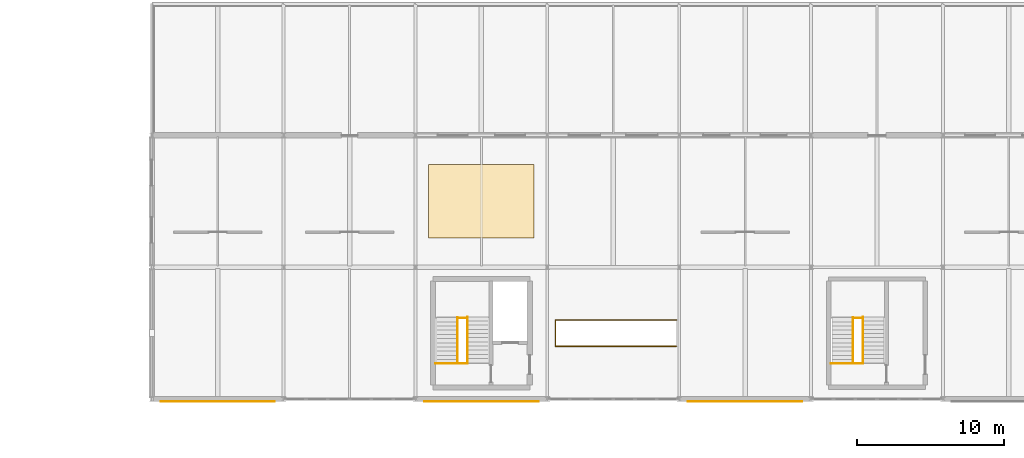
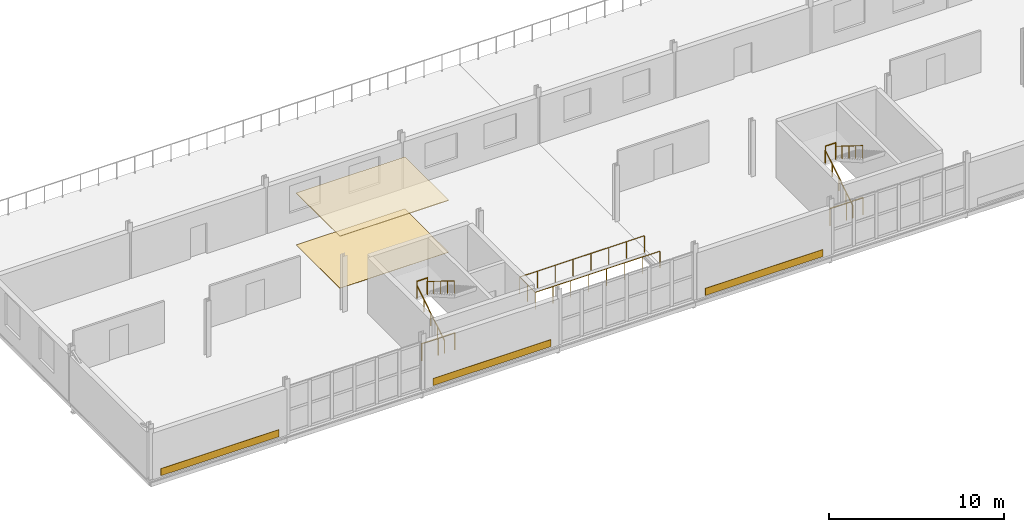
# One storey, part 114 of 123: 9 railings, 5 coverings.
"""IFC4 building model written with IfcOpenShell, lengths in metres."""

import ifcopenshell
import ifcopenshell.guid

model = None  # the IFC model being written
_history = None  # IfcOwnerHistory: only IFC2X3 demands one
_inside = {}  # id of a spatial element -> (the spatial element, [elements in it])
_under = {}  # id of a project, library or spatial element -> (it, [spatial elements below it])
_declared = {}  # id of a project -> (the project, [libraries it declares])
_typed = {}  # id of a type object -> (the type object, [elements of that type])
_made_of = {}  # id of a material, layer set ... -> (it, [elements and type objects made of it])


def new_model(schema):
    """Start an empty IFC model of exactly this schema.

    Asked for "IFC4X3", IfcOpenShell would pick the latest addendum, in which some entities
    have other attributes; the version numbers below select the first issue.
    IFC2X3 requires an IfcOwnerHistory on every rooted entity: one is made here for all.
    """
    global model, _history
    if schema == "IFC4X3":
        model = ifcopenshell.file(schema_version=(4, 3, 0, 0))
    else:
        model = ifcopenshell.file(schema=schema)
    _inside.clear()
    _under.clear()
    _declared.clear()
    _typed.clear()
    _made_of.clear()
    _history = None
    if model.schema == "IFC2X3":
        org = make("IfcOrganization", Name="unknown")
        user = make(
            "IfcPersonAndOrganization",
            ThePerson=make("IfcPerson", FamilyName="unknown"),
            TheOrganization=org,
        )
        app = make(
            "IfcApplication",
            ApplicationDeveloper=org,
            Version="unknown",
            ApplicationFullName="unknown",
            ApplicationIdentifier="unknown",
        )
        _history = make(
            "IfcOwnerHistory",
            OwningUser=user,
            OwningApplication=app,
            ChangeAction="ADDED",
            CreationDate=0,
        )
    return model


def make(cls, **values):
    """One entity of the class cls with the attributes given. An attribute that is None is left unset."""
    return model.create_entity(
        cls, **{name: value for name, value in values.items() if value is not None}
    )


def rooted(cls, **values):
    """An entity with a GlobalId (a new one), such as an element, a storey or a relation."""
    return make(cls, GlobalId=ifcopenshell.guid.new(), OwnerHistory=_history, **values)


def si_unit(unit_type, name, prefix=None):
    """IfcSIUnit, for example si_unit("LENGTHUNIT", "METRE", prefix="MILLI")."""
    return make("IfcSIUnit", UnitType=unit_type, Prefix=prefix, Name=name)


def assignment(units):
    """IfcUnitAssignment: the units of a project."""
    return None if units is None else make("IfcUnitAssignment", Units=units)


def point(xyz):
    """IfcCartesianPoint."""
    return None if xyz is None else make("IfcCartesianPoint", Coordinates=xyz)


def direction(xyz):
    """IfcDirection."""
    return None if xyz is None else make("IfcDirection", DirectionRatios=xyz)


def frame(location, z_axis=None, x_axis=None):
    """IfcAxis2Placement3D, a coordinate frame: its origin and axes. An axis left out is left unset."""
    return make(
        "IfcAxis2Placement3D",
        Location=point(location),
        Axis=direction(z_axis),
        RefDirection=direction(x_axis),
    )


def frame_2d(location, x_axis=None):
    """IfcAxis2Placement2D, a coordinate frame in the plane: its origin and x axis."""
    return make(
        "IfcAxis2Placement2D", Location=point(location), RefDirection=direction(x_axis)
    )


def origin():
    """The frame at (0, 0, 0) with its axes left unset."""
    return frame((0.0, 0.0, 0.0))


def origin_2d():
    """The frame at (0, 0) in the plane with its x axis left unset."""
    return frame_2d((0.0, 0.0))


def place(relative_to, where):
    """IfcLocalPlacement: puts the frame where relative to a parent placement (None: the world)."""
    return make(
        "IfcLocalPlacement", PlacementRelTo=relative_to, RelativePlacement=where
    )


def context(
    kind, dimensions, precision=None, world=None, true_north=None, identifier=None
):
    """IfcGeometricRepresentationContext, for example the 3D "Model" context."""
    return make(
        "IfcGeometricRepresentationContext",
        ContextIdentifier=identifier,
        ContextType=kind,
        CoordinateSpaceDimension=dimensions,
        Precision=precision,
        WorldCoordinateSystem=world,
        TrueNorth=true_north,
    )


def subcontext(parent, identifier, kind, view, scale=None):
    """IfcGeometricRepresentationSubContext, for example "Body" below "Model"."""
    return make(
        "IfcGeometricRepresentationSubContext",
        ContextIdentifier=identifier,
        ContextType=kind,
        ParentContext=parent,
        TargetScale=scale,
        TargetView=view,
    )


def project(units=None, contexts=None):
    """IfcProject with its units and contexts."""
    return rooted(
        "IfcProject",
        Name="project",
        RepresentationContexts=contexts,
        UnitsInContext=assignment(units),
    )


def spatial(cls, under=None, at=None, **own):
    """A site, building, storey or space (cls), placed at a placement, below another one or the project."""
    s = rooted(cls, ObjectPlacement=at, **own)
    if under is not None:
        _under.setdefault(under.id(), (under, []))[1].append(s)
    return s


def profile(cls, at=None, kind="AREA", **sizes):
    """A parametric profile (cls). Its sizes go by their IFC names, for example OverallWidth=200.0."""
    return make(cls, ProfileType=kind, Position=at, **sizes)


def rectangle(**sizes):
    """IfcRectangleProfileDef."""
    return profile("IfcRectangleProfileDef", **sizes)


def circle(**sizes):
    """IfcCircleProfileDef."""
    return profile("IfcCircleProfileDef", **sizes)


def extrude(swept, where, along, depth):
    """IfcExtrudedAreaSolid: the profile swept, set in the frame where, extruded along a direction by depth."""
    return make(
        "IfcExtrudedAreaSolid",
        SweptArea=swept,
        Position=where,
        ExtrudedDirection=direction(along),
        Depth=depth,
    )


def shape(context_of_items, identifier, shape_type, items):
    """IfcShapeRepresentation: the items that make up one representation, for example the "Body"."""
    return make(
        "IfcShapeRepresentation",
        ContextOfItems=context_of_items,
        RepresentationIdentifier=identifier,
        RepresentationType=shape_type,
        Items=items,
    )


def material(Name=None, Category=None):
    """IfcMaterial."""
    return make("IfcMaterial", Name=Name, Category=Category)


def layer(
    of_material, thickness, ventilated=None, Name=None, Category=None, Priority=None
):
    """IfcMaterialLayer: one layer of a wall or slab, of a material (None: an air gap)."""
    return make(
        "IfcMaterialLayer",
        Material=of_material,
        LayerThickness=thickness,
        IsVentilated=ventilated,
        Name=Name,
        Category=Category,
        Priority=Priority,
    )


def layer_set(layers, Name=None):
    """IfcMaterialLayerSet."""
    return make("IfcMaterialLayerSet", MaterialLayers=layers, LayerSetName=Name)


def made_of(thing, what):
    """Note that an element or type object is made of a material, layer set ...; save() writes the relation."""
    if what is not None:
        _made_of.setdefault(what.id(), (what, []))[1].append(thing)
    return thing


def type_object(cls, material=None, **own):
    """A type object (cls), such as IfcWallType, which elements share."""
    return made_of(rooted(cls, **own), material)


def element(
    cls,
    number,
    at=None,
    inside=None,
    cuts=None,
    type_object=None,
    material=None,
    context=None,
    identifier="Body",
    shape_type=None,
    held_by="IfcProductDefinitionShape",
    body=None,
    shapes=None,
    **own,
):
    """One element of the class cls, such as IfcWall. Its Tag is "e" and its number.

    at: its placement. inside: the storey or other place that contains it. cuts: it is an
    opening in that element (IfcRelVoidsElement). A single representation is given by context,
    identifier, shape_type and body (its items); several are given by shapes. held_by: the class
    of the entity that holds the representations. save() writes the other relations.
    """
    e = rooted(cls, Tag="e%d" % number, ObjectPlacement=at, **own)
    if body is not None:
        shapes = [shape(context, identifier, shape_type, body)]
    if shapes is not None:
        e.Representation = make(held_by, Representations=shapes)
    if inside is not None:
        _inside.setdefault(inside.id(), (inside, []))[1].append(e)
    if cuts is not None:
        rooted(
            "IfcRelVoidsElement", RelatingBuildingElement=cuts, RelatedOpeningElement=e
        )
    if type_object is not None:
        _typed.setdefault(type_object.id(), (type_object, []))[1].append(e)
    return made_of(e, material)


def aggregate(whole, parts):
    """IfcRelAggregates: a whole, such as a stair, and the parts it consists of."""
    return rooted("IfcRelAggregates", RelatingObject=whole, RelatedObjects=parts)


def save(model, path):
    """Write the relations noted so far, then the file.

    IfcRelAggregates (storeys below a building ...), IfcRelContainedInSpatialStructure (elements
    in a storey), IfcRelDefinesByType, IfcRelAssociatesMaterial and IfcRelDeclares: one each for
    every whole, place, type object, material and project.
    """
    for whole, parts in _under.values():
        aggregate(whole, parts)
    for where, things in _inside.values():
        rooted(
            "IfcRelContainedInSpatialStructure",
            RelatedElements=things,
            RelatingStructure=where,
        )
    for kind, things in _typed.values():
        rooted("IfcRelDefinesByType", RelatedObjects=things, RelatingType=kind)
    for what, things in _made_of.values():
        rooted("IfcRelAssociatesMaterial", RelatedObjects=things, RelatingMaterial=what)
    for by, libraries in _declared.values():
        rooted("IfcRelDeclares", RelatingContext=by, RelatedDefinitions=libraries)
    model.write(path)


model = new_model("IFC4")

# Units and contexts
model_context = context("Model", 3, precision=1e-05, world=origin(), true_north=direction((0.0, 1.0)))
body_context = subcontext(model_context, "Body", "Model", "MODEL_VIEW")
ifc_project = project(units=[si_unit("LENGTHUNIT", "METRE"), si_unit("AREAUNIT", "SQUARE_METRE"), si_unit("VOLUMEUNIT", "CUBIC_METRE"), si_unit("PLANEANGLEUNIT", "RADIAN"), si_unit("MASSUNIT", "GRAM", prefix="KILO")], contexts=[model_context])

# Site, building, storey
site_placement = place(None, origin())
site = spatial("IfcSite", under=ifc_project, at=site_placement, CompositionType="ELEMENT")
building_placement = place(site_placement, origin())
building = spatial("IfcBuilding", under=site, at=building_placement, Name="Kildeholm Park Wholesale Market", CompositionType="ELEMENT")
storey_placement = place(building_placement, frame((0.0, 0.0, 9.60009765625)))
storey = spatial("IfcBuildingStorey", under=building, at=storey_placement, Name="L02", CompositionType="ELEMENT", Elevation=9.60009765625)

# Coverings
ifc_material_1 = material(Name="Washable acoustic mineral-fibre and aluminium ceiling", Category="aluminium")
ifc_layer_1 = layer(ifc_material_1, 0.044921875)
ifc_layer_set_1 = layer_set([ifc_layer_1], Name="Washable acoustic mineral-fibre and aluminium ceiling")
covering_type_1 = type_object("IfcCoveringType", Name="Hygienic acoustic suspended ceiling CV-CLG1 45 mm", PredefinedType="CEILING", material=ifc_layer_set_1)
covering_1_placement = place(storey_placement, frame((31.5, 13.5, 3.614990234375), z_axis=(0.0, 0.0, 1.0), x_axis=(1.0, 0.0, 0.0)))
element("IfcCovering", 1, at=covering_1_placement, inside=storey, type_object=covering_type_1, Name="Acoustic ceiling 9 COV-0058", PredefinedType="CEILING", context=body_context, shape_type="SweptSolid", body=[
    extrude(rectangle(XDim=7.199951171875, YDim=5.0, at=origin_2d()), origin(), (0.0, 0.0, 1.0), 0.044921875),
])
ifc_material_2 = material(Name="Slip-resistant hygienic epoxy resin flooring")
ifc_layer_2 = layer(ifc_material_2, 0.02001953125)
ifc_layer_set_2 = layer_set([ifc_layer_2], Name="Slip-resistant hygienic epoxy resin flooring")
covering_type_2 = type_object("IfcCoveringType", Name="Hygienic cold-chain epoxy resin flooring CV-FLR2 20 mm", PredefinedType="FLOORING", material=ifc_layer_set_2)
covering_2_placement = place(storey_placement, frame((31.5, 13.5, 0.0), z_axis=(0.0, 0.0, 1.0), x_axis=(1.0, 0.0, 0.0)))
element("IfcCovering", 2, at=covering_2_placement, inside=storey, type_object=covering_type_2, Name="Market floor finish 9 COV-0057", PredefinedType="FLOORING", context=body_context, shape_type="SweptSolid", body=[
    extrude(rectangle(XDim=7.199951171875, YDim=5.0, at=origin_2d()), origin(), (0.0, 0.0, 1.0), 0.02001953125),
])

# Railings
ifc_material_3 = material(Name="Painted steel and laminated glass balustrade", Category="steel")
railing_type_1 = type_object("IfcRailingType", Name="Interior gallery and stairwell guard GR-IN1 1200 mm", PredefinedType="GUARDRAIL", material=ifc_material_3)
railing_1_placement = place(storey_placement, frame((28.360107421875, 2.429931640625, 0.0)))
element("IfcRailing", 3, at=railing_1_placement, inside=storey, type_object=railing_type_1, Name="Stair C04 upper floor well guard L02 RLG-0055", PredefinedType="GUARDRAIL", context=body_context, shape_type="SweptSolid", body=[
    extrude(circle(Radius=0.02392578125, at=origin_2d()), frame((0.0, 0.0, 1.17578125), z_axis=(1.0, 0.0, 0.0), x_axis=(0.0, 1.0, 0.0)), (0.0, 0.0, 1.0), 2.18994140625),
    extrude(circle(Radius=0.02099609375, at=origin_2d()), origin(), (0.0, 0.0, 1.0), 1.15185546875),
    extrude(circle(Radius=0.02099609375, at=origin_2d()), frame((1.094970703125, 0.0, 0.0)), (0.0, 0.0, 1.0), 1.15185546875),
    extrude(circle(Radius=0.02099609375, at=origin_2d()), frame((2.18994140625, 0.0, 0.0)), (0.0, 0.0, 1.0), 1.15185546875),
])
railing_2_placement = place(storey_placement, frame((29.860107421875, 5.544921875, 1.949951171875)))
element("IfcRailing", 4, at=railing_2_placement, inside=storey, type_object=railing_type_1, Name="Stair C04 half-landing well guard L02 RLG-0058", PredefinedType="GUARDRAIL", context=body_context, shape_type="SweptSolid", body=[
    extrude(circle(Radius=0.02392578125, at=origin_2d()), frame((0.0, 0.0, 1.17578125), z_axis=(1.0, 0.0, 0.0), x_axis=(0.0, 1.0, 0.0)), (0.0, 0.0, 1.0), 0.68994140625),
    extrude(circle(Radius=0.02099609375, at=origin_2d()), origin(), (0.0, 0.0, 1.0), 1.15185546875),
    extrude(circle(Radius=0.02099609375, at=origin_2d()), frame((0.68994140625, 0.0, 0.0)), (0.0, 0.0, 1.0), 1.15185546875),
])
railing_3_placement = place(storey_placement, frame((55.360107421875, 2.429931640625, 0.0)))
element("IfcRailing", 5, at=railing_3_placement, inside=storey, type_object=railing_type_1, Name="Stair C05 upper floor well guard L02 RLG-0067", PredefinedType="GUARDRAIL", context=body_context, shape_type="SweptSolid", body=[
    extrude(circle(Radius=0.02392578125, at=origin_2d()), frame((0.0, 0.0, 1.17578125), z_axis=(1.0, 0.0, 0.0), x_axis=(0.0, 1.0, 0.0)), (0.0, 0.0, 1.0), 2.18994140625),
    extrude(circle(Radius=0.02099609375, at=origin_2d()), origin(), (0.0, 0.0, 1.0), 1.15185546875),
    extrude(circle(Radius=0.02099609375, at=origin_2d()), frame((1.094970703125, 0.0, 0.0)), (0.0, 0.0, 1.0), 1.15185546875),
    extrude(circle(Radius=0.02099609375, at=origin_2d()), frame((2.18994140625, 0.0, 0.0)), (0.0, 0.0, 1.0), 1.15185546875),
])
railing_4_placement = place(storey_placement, frame((56.860107421875, 5.544921875, 1.949951171875)))
element("IfcRailing", 6, at=railing_4_placement, inside=storey, type_object=railing_type_1, Name="Stair C05 half-landing well guard L02 RLG-0070", PredefinedType="GUARDRAIL", context=body_context, shape_type="SweptSolid", body=[
    extrude(circle(Radius=0.02392578125, at=origin_2d()), frame((0.0, 0.0, 1.17578125), z_axis=(1.0, 0.0, 0.0), x_axis=(0.0, 1.0, 0.0)), (0.0, 0.0, 1.0), 0.68994140625),
    extrude(circle(Radius=0.02099609375, at=origin_2d()), origin(), (0.0, 0.0, 1.0), 1.15185546875),
    extrude(circle(Radius=0.02099609375, at=origin_2d()), frame((0.68994140625, 0.0, 0.0)), (0.0, 0.0, 1.0), 1.15185546875),
])
railing_5_placement = place(storey_placement, frame((44.800048828125, 3.610107421875, 0.0)))
element("IfcRailing", 7, at=railing_5_placement, inside=storey, type_object=railing_type_1, Name="Feature stair well guard ST-FT04 RLG-0173", PredefinedType="GUARDRAIL", context=body_context, shape_type="SweptSolid", body=[
    extrude(circle(Radius=0.02392578125, at=origin_2d()), frame((0.0, 0.0, 1.17578125), z_axis=(-1.0, 0.0, 0.0), x_axis=(0.0, -1.0, 0.0)), (0.0, 0.0, 1.0), 8.25),
    extrude(circle(Radius=0.02392578125, at=origin_2d()), frame((-8.25, 0.0, 1.17578125), z_axis=(0.0, 1.0, 0.0), x_axis=(-1.0, 0.0, 0.0)), (0.0, 0.0, 1.0), 1.77978515625),
    extrude(circle(Radius=0.02392578125, at=origin_2d()), frame((-8.25, 1.77978515625, 1.17578125), z_axis=(1.0, 0.0, 0.0), x_axis=(0.0, 1.0, 0.0)), (0.0, 0.0, 1.0), 8.25),
    extrude(circle(Radius=0.02099609375, at=origin_2d()), origin(), (0.0, 0.0, 1.0), 1.15185546875),
    extrude(circle(Radius=0.02099609375, at=origin_2d()), frame((-1.178466796875, 0.0, 0.0)), (0.0, 0.0, 1.0), 1.15185546875),
    extrude(circle(Radius=0.02099609375, at=origin_2d()), frame((-2.357177734375, 0.0, 0.0)), (0.0, 0.0, 1.0), 1.15185546875),
    extrude(circle(Radius=0.02099609375, at=origin_2d()), frame((-3.53564453125, 0.0, 0.0)), (0.0, 0.0, 1.0), 1.15185546875),
    extrude(circle(Radius=0.02099609375, at=origin_2d()), frame((-4.71435546875, 0.0, 0.0)), (0.0, 0.0, 1.0), 1.15185546875),
    extrude(circle(Radius=0.02099609375, at=origin_2d()), frame((-5.892822265625, 0.0, 0.0)), (0.0, 0.0, 1.0), 1.15185546875),
    extrude(circle(Radius=0.02099609375, at=origin_2d()), frame((-7.071533203125, 0.0, 0.0)), (0.0, 0.0, 1.0), 1.15185546875),
    extrude(circle(Radius=0.02099609375, at=origin_2d()), frame((-8.25, 0.0, 0.0)), (0.0, 0.0, 1.0), 1.15185546875),
    extrude(circle(Radius=0.02099609375, at=origin_2d()), frame((-8.25, 0.889892578125, 0.0)), (0.0, 0.0, 1.0), 1.15185546875),
    extrude(circle(Radius=0.02099609375, at=origin_2d()), frame((-8.25, 1.77978515625, 0.0)), (0.0, 0.0, 1.0), 1.15185546875),
    extrude(circle(Radius=0.02099609375, at=origin_2d()), frame((-7.071533203125, 1.77978515625, 0.0)), (0.0, 0.0, 1.0), 1.15185546875),
    extrude(circle(Radius=0.02099609375, at=origin_2d()), frame((-5.892822265625, 1.77978515625, 0.0)), (0.0, 0.0, 1.0), 1.15185546875),
    extrude(circle(Radius=0.02099609375, at=origin_2d()), frame((-4.71435546875, 1.77978515625, 0.0)), (0.0, 0.0, 1.0), 1.15185546875),
    extrude(circle(Radius=0.02099609375, at=origin_2d()), frame((-3.53564453125, 1.77978515625, 0.0)), (0.0, 0.0, 1.0), 1.15185546875),
    extrude(circle(Radius=0.02099609375, at=origin_2d()), frame((-2.357177734375, 1.77978515625, 0.0)), (0.0, 0.0, 1.0), 1.15185546875),
    extrude(circle(Radius=0.02099609375, at=origin_2d()), frame((-1.178466796875, 1.77978515625, 0.0)), (0.0, 0.0, 1.0), 1.15185546875),
    extrude(circle(Radius=0.02099609375, at=origin_2d()), frame((0.0, 1.77978515625, 0.0)), (0.0, 0.0, 1.0), 1.15185546875),
])

# Coverings
ifc_material_4 = material(Name="Polychrome broken-tile glazed ceramic mosaic")
ifc_layer_3 = layer(ifc_material_4, 0.034912109375)
ifc_layer_set_3 = layer_set([ifc_layer_3], Name="Polychrome broken-tile glazed ceramic mosaic")
covering_type_3 = type_object("IfcCoveringType", Name="Polychrome ceramic mosaic spandrel cladding CV-CL1", PredefinedType="CLADDING", material=ifc_layer_set_3)
for number, where, z_axis, x_axis, name in (
    (8, (13.5, -0.179931640625, 0.099853515625), (0.0, 0.0, 1.0), (1.0, 0.0, 0.0), "Polychrome ceramic mosaic spandrel V5W-L02-1 COV-0029"),
    (9, (31.5, -0.179931640625, 0.099853515625), (0.0, 0.0, 1.0), (1.0, 0.0, 0.0), "Polychrome ceramic mosaic spandrel V5W-L02-3 COV-0030"),
    (10, (49.5, -0.179931640625, 0.099853515625), (0.0, 0.0, 1.0), (1.0, 0.0, 0.0), "Polychrome ceramic mosaic spandrel V5W-L02-5 COV-0031"),
):
    element("IfcCovering", number, at=place(storey_placement, frame(where, z_axis=z_axis, x_axis=x_axis)), inside=storey, type_object=covering_type_3, Name=name, PredefinedType="CLADDING", context=body_context, shape_type="SweptSolid", body=[
        extrude(rectangle(XDim=7.800048828125, YDim=0.034912109375, at=origin_2d()), origin(), (0.0, 0.0, 1.0), 0.5),
    ])

# Railings
ifc_material_5 = material(Name="Stainless steel AISI 316 handrail", Category="steel")
railing_type_2 = type_object("IfcRailingType", Name="Stair flight handrail HR-IN1 900 mm", PredefinedType="HANDRAIL", material=ifc_material_5)
railing_6_placement = place(storey_placement, frame((29.860107421875, 2.419921875, 0.0)))
element("IfcRailing", 11, at=railing_6_placement, inside=storey, type_object=railing_type_2, Name="Stair C04 flight 1 handrail L02 RLG-0060", PredefinedType="HANDRAIL", context=body_context, shape_type="SweptSolid", body=[
    extrude(circle(Radius=0.02392578125, at=origin_2d()), frame((0.0, 0.0, 0.8759765625), z_axis=(0.0, 0.849144259976, 0.528160984692), x_axis=(-1.0, 0.0, 0.0)), (0.0, 0.0, 1.0), 3.69189453125),
    extrude(circle(Radius=0.02099609375, at=origin_2d()), origin(), (0.0, 0.0, 1.0), 0.851806640625),
    extrude(circle(Radius=0.02099609375, at=origin_2d()), frame((0.0, 0.78369140625, 0.487548828125)), (0.0, 0.0, 1.0), 0.851806640625),
    extrude(circle(Radius=0.02099609375, at=origin_2d()), frame((0.0, 1.5673828125, 0.97509765625)), (0.0, 0.0, 1.0), 0.851806640625),
    extrude(circle(Radius=0.02099609375, at=origin_2d()), frame((0.0, 2.351318359375, 1.46240234375)), (0.0, 0.0, 1.0), 0.851806640625),
    extrude(circle(Radius=0.02099609375, at=origin_2d()), frame((0.0, 3.135009765625, 1.949951171875)), (0.0, 0.0, 1.0), 0.851806640625),
])
railing_7_placement = place(storey_placement, frame((30.550048828125, 5.614990234375, 1.949951171875)))
element("IfcRailing", 12, at=railing_7_placement, inside=storey, type_object=railing_type_2, Name="Stair C04 flight 2 handrail L02 RLG-0061", PredefinedType="HANDRAIL", context=body_context, shape_type="SweptSolid", body=[
    extrude(circle(Radius=0.02392578125, at=origin_2d()), frame((0.0, 0.0, 0.8759765625), z_axis=(0.0, -0.849144259976, 0.528160984692), x_axis=(1.0, 0.0, 0.0)), (0.0, 0.0, 1.0), 3.69189453125),
    extrude(circle(Radius=0.02099609375, at=origin_2d()), origin(), (0.0, 0.0, 1.0), 0.851806640625),
    extrude(circle(Radius=0.02099609375, at=origin_2d()), frame((0.0, -0.78369140625, 0.487548828125)), (0.0, 0.0, 1.0), 0.851806640625),
    extrude(circle(Radius=0.02099609375, at=origin_2d()), frame((0.0, -1.5673828125, 0.97509765625)), (0.0, 0.0, 1.0), 0.851806640625),
    extrude(circle(Radius=0.02099609375, at=origin_2d()), frame((0.0, -2.351318359375, 1.46240234375)), (0.0, 0.0, 1.0), 0.851806640625),
    extrude(circle(Radius=0.02099609375, at=origin_2d()), frame((0.0, -3.135009765625, 1.949951171875)), (0.0, 0.0, 1.0), 0.851806640625),
])
railing_8_placement = place(storey_placement, frame((56.860107421875, 2.419921875, 0.0)))
element("IfcRailing", 13, at=railing_8_placement, inside=storey, type_object=railing_type_2, Name="Stair C05 flight 1 handrail L02 RLG-0072", PredefinedType="HANDRAIL", context=body_context, shape_type="SweptSolid", body=[
    extrude(circle(Radius=0.02392578125, at=origin_2d()), frame((0.0, 0.0, 0.8759765625), z_axis=(0.0, 0.849144259976, 0.528160984692), x_axis=(-1.0, 0.0, 0.0)), (0.0, 0.0, 1.0), 3.69189453125),
    extrude(circle(Radius=0.02099609375, at=origin_2d()), origin(), (0.0, 0.0, 1.0), 0.851806640625),
    extrude(circle(Radius=0.02099609375, at=origin_2d()), frame((0.0, 0.78369140625, 0.487548828125)), (0.0, 0.0, 1.0), 0.851806640625),
    extrude(circle(Radius=0.02099609375, at=origin_2d()), frame((0.0, 1.5673828125, 0.97509765625)), (0.0, 0.0, 1.0), 0.851806640625),
    extrude(circle(Radius=0.02099609375, at=origin_2d()), frame((0.0, 2.351318359375, 1.46240234375)), (0.0, 0.0, 1.0), 0.851806640625),
    extrude(circle(Radius=0.02099609375, at=origin_2d()), frame((0.0, 3.135009765625, 1.949951171875)), (0.0, 0.0, 1.0), 0.851806640625),
])
railing_9_placement = place(storey_placement, frame((57.550048828125, 5.614990234375, 1.949951171875)))
element("IfcRailing", 14, at=railing_9_placement, inside=storey, type_object=railing_type_2, Name="Stair C05 flight 2 handrail L02 RLG-0073", PredefinedType="HANDRAIL", context=body_context, shape_type="SweptSolid", body=[
    extrude(circle(Radius=0.02392578125, at=origin_2d()), frame((0.0, 0.0, 0.8759765625), z_axis=(0.0, -0.849144259976, 0.528160984692), x_axis=(1.0, 0.0, 0.0)), (0.0, 0.0, 1.0), 3.69189453125),
    extrude(circle(Radius=0.02099609375, at=origin_2d()), origin(), (0.0, 0.0, 1.0), 0.851806640625),
    extrude(circle(Radius=0.02099609375, at=origin_2d()), frame((0.0, -0.78369140625, 0.487548828125)), (0.0, 0.0, 1.0), 0.851806640625),
    extrude(circle(Radius=0.02099609375, at=origin_2d()), frame((0.0, -1.5673828125, 0.97509765625)), (0.0, 0.0, 1.0), 0.851806640625),
    extrude(circle(Radius=0.02099609375, at=origin_2d()), frame((0.0, -2.351318359375, 1.46240234375)), (0.0, 0.0, 1.0), 0.851806640625),
    extrude(circle(Radius=0.02099609375, at=origin_2d()), frame((0.0, -3.135009765625, 1.949951171875)), (0.0, 0.0, 1.0), 0.851806640625),
])

save(model, "model.ifc")
